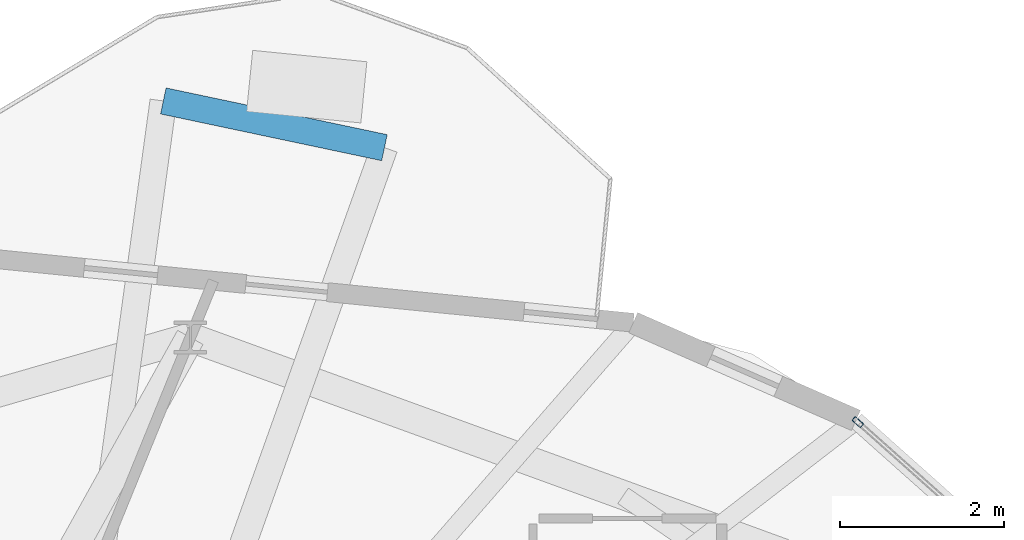
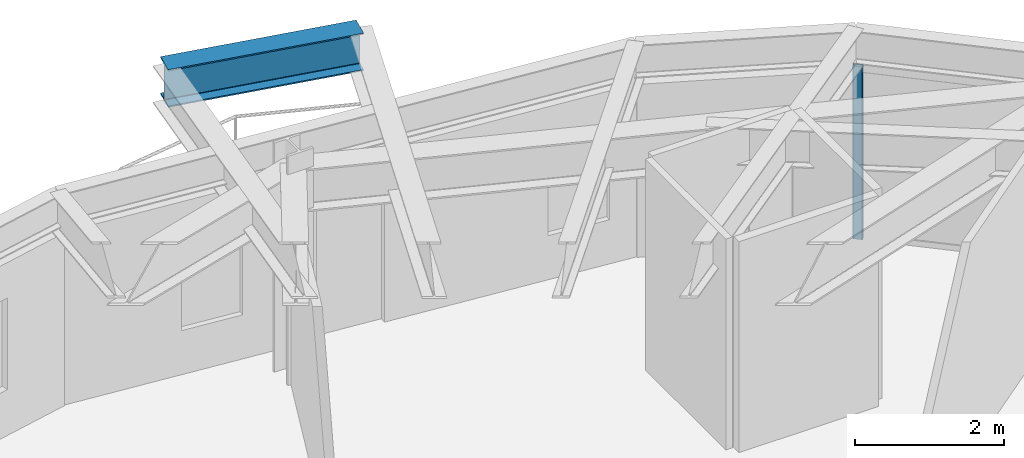
# One storey, part 18 of 25: 1 beam, 1 member, 1 element without a shape of its own.
"""IFC4 building model written with IfcOpenShell, lengths in metres."""

from ifc_helpers import new_model, si_unit, direction, frame, origin, origin_2d, place, context, subcontext, project, spatial, hollow_rectangle, i_section, extrude, material, layer, layer_set, material_profile, profile_set, type_object, element, aggregate, save


model = new_model("IFC4")

# Units and contexts
model_context = context("Model", 3, precision=1e-05, world=origin(), true_north=direction((0.0, 1.0)))
body_context = subcontext(model_context, "Body", "Model", "MODEL_VIEW")
ifc_project = project(units=[si_unit("LENGTHUNIT", "METRE"), si_unit("AREAUNIT", "SQUARE_METRE"), si_unit("VOLUMEUNIT", "CUBIC_METRE"), si_unit("PLANEANGLEUNIT", "RADIAN"), si_unit("MASSUNIT", "GRAM", prefix="KILO")], contexts=[model_context])

# Site, building, storey
site_placement = place(None, origin())
site = spatial("IfcSite", under=ifc_project, at=site_placement, CompositionType="ELEMENT")
building_placement = place(site_placement, origin())
building = spatial("IfcBuilding", under=site, at=building_placement, Name="Soratama Intermodal Tower", CompositionType="ELEMENT")
storey_placement = place(building_placement, frame((0.0, 0.0, 276.25)))
storey = spatial("IfcBuildingStorey", under=building, at=storey_placement, Name="L70", CompositionType="ELEMENT", Elevation=276.25)

# Beam
ifc_material_1 = material(Name="Structural steel ASTM A992 Grade 50", Category="steel")
ifc_material_profile_1 = material_profile(ifc_material_1, i_section(OverallWidth=0.324951171875, OverallDepth=0.615966796875, WebThickness=0.013916015625, FlangeThickness=0.021484375, FilletRadius=0.013916015625, at=origin_2d()), Name="W24X117")
ifc_profile_set_1 = profile_set([ifc_material_profile_1], Name="Structural steel ASTM A992 Grade 50")
beam_type = type_object("IfcBeamType", Name="BM-CANT-W24X117", PredefinedType="BEAM", material=ifc_profile_set_1)
beam_placement = place(storey_placement, frame((47.968994140625, 44.5048828125, 3.14208984375), z_axis=(-0.978398284101, 0.206728802224, 0.0), x_axis=(-0.206728802224, -0.978398284101, 0.0)))
element("IfcBeam", 1, at=beam_placement, inside=storey, type_object=beam_type, Name="BM-L70-CBHDR-2", PredefinedType="BEAM", context=body_context, shape_type="SweptSolid", body=[
    extrude(i_section(OverallWidth=0.324951171875, OverallDepth=0.615966796875, WebThickness=0.013916015625, FlangeThickness=0.021484375, FilletRadius=0.013916015625, at=origin_2d()), origin(), (0.0, 0.0, 1.0), 2.757568359375),
])

# Curtain wall, member
ifc_material_2 = material(Name="Double-glazed aluminium curtain wall", Category="aluminium")
ifc_layer = layer(ifc_material_2, 0.159912109375)
ifc_layer_set = layer_set([ifc_layer], Name="Double-glazed aluminium curtain wall")
curtain_wall_type = type_object("IfcCurtainWallType", Name="CW-SYS-5", PredefinedType="NOTDEFINED", material=ifc_layer_set)
curtain_wall_placement = place(storey_placement, origin())
curtain_wall = element("IfcCurtainWall", 2, at=curtain_wall_placement, inside=storey, type_object=curtain_wall_type, Name="L70 Faceted Curtain Wall F10", PredefinedType="NOTDEFINED")
ifc_material_3 = material(Name="Anodised aluminium AA 6063-T6", Category="aluminium")
ifc_material_profile_2 = material_profile(ifc_material_3, hollow_rectangle(XDim=0.06494140625, YDim=0.139892578125, WallThickness=0.0048828125, InnerFilletRadius=0.0048828125, OuterFilletRadius=0.010009765625, at=origin_2d()), Name="CWM140X65X5")
ifc_profile_set_2 = profile_set([ifc_material_profile_2], Name="Anodised aluminium AA 6063-T6")
member_type = type_object("IfcMemberType", Name="MT-CWM-5", PredefinedType="MULLION", material=ifc_profile_set_2)
member_placement = place(storey_placement, frame((53.743408203125, 41.156982421875, 0.0), z_axis=(0.0, 0.0, 1.0), x_axis=(-0.665233827722, -0.746635087881, 0.0)))
member = element("IfcMember", 3, at=member_placement, type_object=member_type, Name="CW-5 mullion 2", PredefinedType="MULLION", context=body_context, shape_type="SweptSolid", body=[
    extrude(hollow_rectangle(XDim=0.06494140625, YDim=0.139892578125, WallThickness=0.0048828125, InnerFilletRadius=0.0048828125, OuterFilletRadius=0.010009765625, at=origin_2d()), origin(), (0.0, 0.0, 1.0), 2.8291015625),
])
aggregate(curtain_wall, [member])

save(model, "model.ifc")
